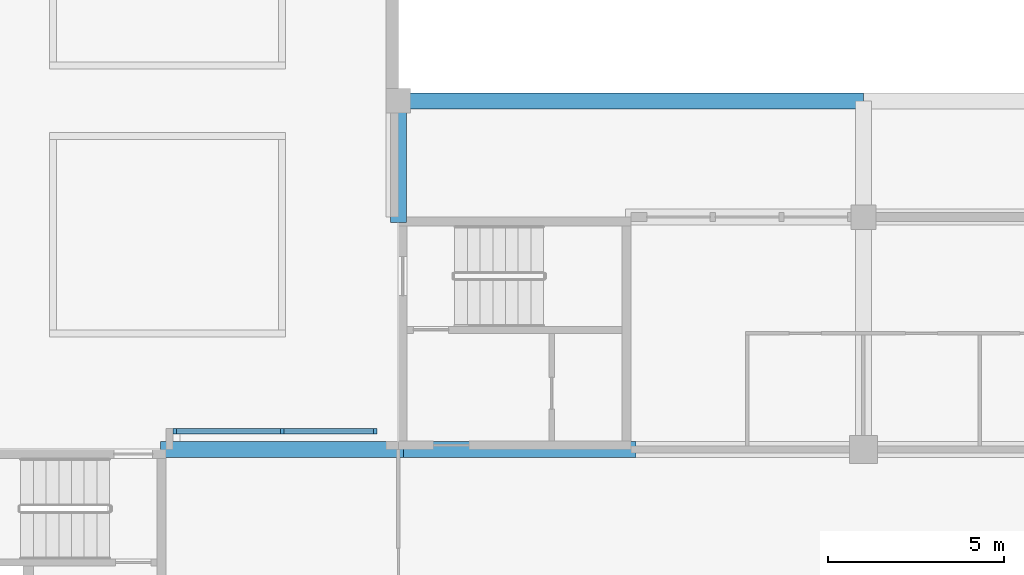
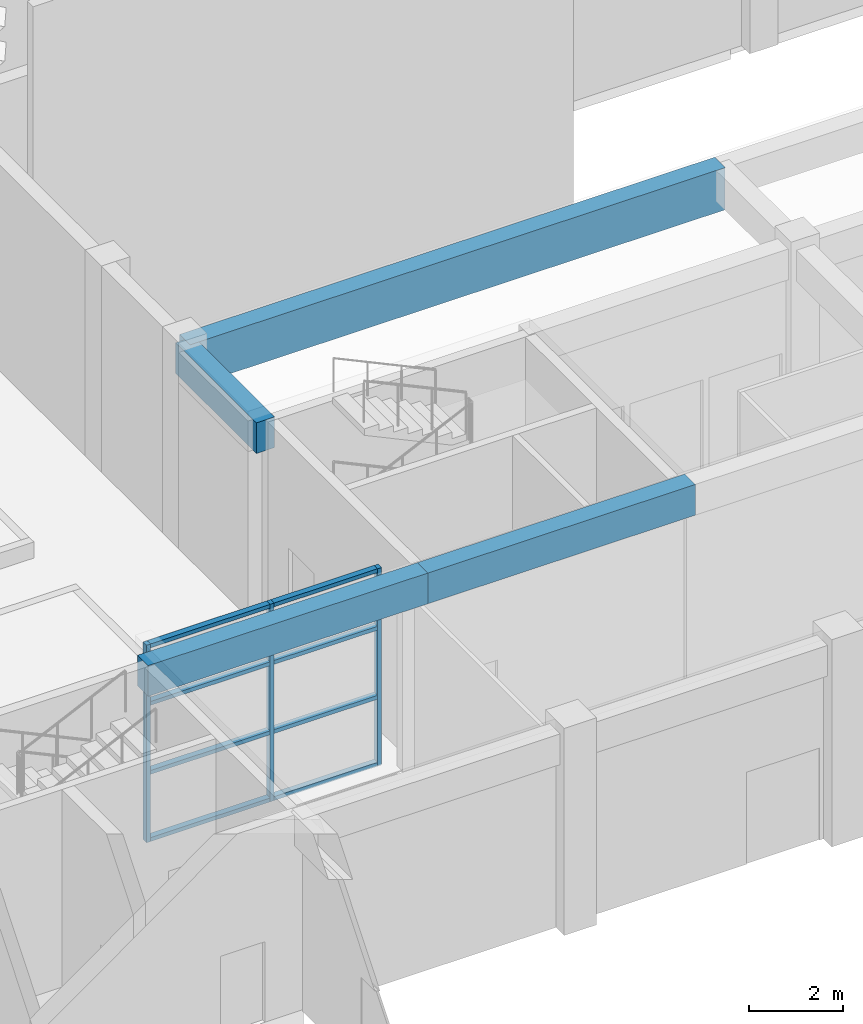
# One storey, part 14 of 85: 11 members, 4 beams, 1 element without a shape of its own.
"""IFC4 building model written with IfcOpenShell, lengths in metres."""

import ifcopenshell
import ifcopenshell.guid

model = None  # the IFC model being written
_history = None  # IfcOwnerHistory: only IFC2X3 demands one
_inside = {}  # id of a spatial element -> (the spatial element, [elements in it])
_under = {}  # id of a project, library or spatial element -> (it, [spatial elements below it])
_declared = {}  # id of a project -> (the project, [libraries it declares])
_typed = {}  # id of a type object -> (the type object, [elements of that type])
_made_of = {}  # id of a material, layer set ... -> (it, [elements and type objects made of it])


def new_model(schema):
    """Start an empty IFC model of exactly this schema.

    Asked for "IFC4X3", IfcOpenShell would pick the latest addendum, in which some entities
    have other attributes; the version numbers below select the first issue.
    IFC2X3 requires an IfcOwnerHistory on every rooted entity: one is made here for all.
    """
    global model, _history
    if schema == "IFC4X3":
        model = ifcopenshell.file(schema_version=(4, 3, 0, 0))
    else:
        model = ifcopenshell.file(schema=schema)
    _inside.clear()
    _under.clear()
    _declared.clear()
    _typed.clear()
    _made_of.clear()
    _history = None
    if model.schema == "IFC2X3":
        org = make("IfcOrganization", Name="unknown")
        user = make(
            "IfcPersonAndOrganization",
            ThePerson=make("IfcPerson", FamilyName="unknown"),
            TheOrganization=org,
        )
        app = make(
            "IfcApplication",
            ApplicationDeveloper=org,
            Version="unknown",
            ApplicationFullName="unknown",
            ApplicationIdentifier="unknown",
        )
        _history = make(
            "IfcOwnerHistory",
            OwningUser=user,
            OwningApplication=app,
            ChangeAction="ADDED",
            CreationDate=0,
        )
    return model


def make(cls, **values):
    """One entity of the class cls with the attributes given. An attribute that is None is left unset."""
    return model.create_entity(
        cls, **{name: value for name, value in values.items() if value is not None}
    )


def rooted(cls, **values):
    """An entity with a GlobalId (a new one), such as an element, a storey or a relation."""
    return make(cls, GlobalId=ifcopenshell.guid.new(), OwnerHistory=_history, **values)


def si_unit(unit_type, name, prefix=None):
    """IfcSIUnit, for example si_unit("LENGTHUNIT", "METRE", prefix="MILLI")."""
    return make("IfcSIUnit", UnitType=unit_type, Prefix=prefix, Name=name)


def assignment(units):
    """IfcUnitAssignment: the units of a project."""
    return None if units is None else make("IfcUnitAssignment", Units=units)


def point(xyz):
    """IfcCartesianPoint."""
    return None if xyz is None else make("IfcCartesianPoint", Coordinates=xyz)


def direction(xyz):
    """IfcDirection."""
    return None if xyz is None else make("IfcDirection", DirectionRatios=xyz)


def frame(location, z_axis=None, x_axis=None):
    """IfcAxis2Placement3D, a coordinate frame: its origin and axes. An axis left out is left unset."""
    return make(
        "IfcAxis2Placement3D",
        Location=point(location),
        Axis=direction(z_axis),
        RefDirection=direction(x_axis),
    )


def frame_2d(location, x_axis=None):
    """IfcAxis2Placement2D, a coordinate frame in the plane: its origin and x axis."""
    return make(
        "IfcAxis2Placement2D", Location=point(location), RefDirection=direction(x_axis)
    )


def origin():
    """The frame at (0, 0, 0) with its axes left unset."""
    return frame((0.0, 0.0, 0.0))


def origin_2d():
    """The frame at (0, 0) in the plane with its x axis left unset."""
    return frame_2d((0.0, 0.0))


def place(relative_to, where):
    """IfcLocalPlacement: puts the frame where relative to a parent placement (None: the world)."""
    return make(
        "IfcLocalPlacement", PlacementRelTo=relative_to, RelativePlacement=where
    )


def context(
    kind, dimensions, precision=None, world=None, true_north=None, identifier=None
):
    """IfcGeometricRepresentationContext, for example the 3D "Model" context."""
    return make(
        "IfcGeometricRepresentationContext",
        ContextIdentifier=identifier,
        ContextType=kind,
        CoordinateSpaceDimension=dimensions,
        Precision=precision,
        WorldCoordinateSystem=world,
        TrueNorth=true_north,
    )


def subcontext(parent, identifier, kind, view, scale=None):
    """IfcGeometricRepresentationSubContext, for example "Body" below "Model"."""
    return make(
        "IfcGeometricRepresentationSubContext",
        ContextIdentifier=identifier,
        ContextType=kind,
        ParentContext=parent,
        TargetScale=scale,
        TargetView=view,
    )


def project(units=None, contexts=None):
    """IfcProject with its units and contexts."""
    return rooted(
        "IfcProject",
        Name="project",
        RepresentationContexts=contexts,
        UnitsInContext=assignment(units),
    )


def spatial(cls, under=None, at=None, **own):
    """A site, building, storey or space (cls), placed at a placement, below another one or the project."""
    s = rooted(cls, ObjectPlacement=at, **own)
    if under is not None:
        _under.setdefault(under.id(), (under, []))[1].append(s)
    return s


def profile(cls, at=None, kind="AREA", **sizes):
    """A parametric profile (cls). Its sizes go by their IFC names, for example OverallWidth=200.0."""
    return make(cls, ProfileType=kind, Position=at, **sizes)


def rectangle(**sizes):
    """IfcRectangleProfileDef."""
    return profile("IfcRectangleProfileDef", **sizes)


def extrude(swept, where, along, depth):
    """IfcExtrudedAreaSolid: the profile swept, set in the frame where, extruded along a direction by depth."""
    return make(
        "IfcExtrudedAreaSolid",
        SweptArea=swept,
        Position=where,
        ExtrudedDirection=direction(along),
        Depth=depth,
    )


def shape(context_of_items, identifier, shape_type, items):
    """IfcShapeRepresentation: the items that make up one representation, for example the "Body"."""
    return make(
        "IfcShapeRepresentation",
        ContextOfItems=context_of_items,
        RepresentationIdentifier=identifier,
        RepresentationType=shape_type,
        Items=items,
    )


def material(Name=None, Category=None):
    """IfcMaterial."""
    return make("IfcMaterial", Name=Name, Category=Category)


def material_profile(
    of_material, cross_section, Name=None, Category=None, Priority=None
):
    """IfcMaterialProfile: a cross section and its material."""
    return make(
        "IfcMaterialProfile",
        Name=Name,
        Material=of_material,
        Profile=cross_section,
        Priority=Priority,
        Category=Category,
    )


def profile_set(profiles, Name=None, composite=None):
    """IfcMaterialProfileSet."""
    return make(
        "IfcMaterialProfileSet",
        Name=Name,
        MaterialProfiles=profiles,
        CompositeProfile=composite,
    )


def made_of(thing, what):
    """Note that an element or type object is made of a material, layer set ...; save() writes the relation."""
    if what is not None:
        _made_of.setdefault(what.id(), (what, []))[1].append(thing)
    return thing


def type_object(cls, material=None, **own):
    """A type object (cls), such as IfcWallType, which elements share."""
    return made_of(rooted(cls, **own), material)


def element(
    cls,
    number,
    at=None,
    inside=None,
    cuts=None,
    type_object=None,
    material=None,
    context=None,
    identifier="Body",
    shape_type=None,
    held_by="IfcProductDefinitionShape",
    body=None,
    shapes=None,
    **own,
):
    """One element of the class cls, such as IfcWall. Its Tag is "e" and its number.

    at: its placement. inside: the storey or other place that contains it. cuts: it is an
    opening in that element (IfcRelVoidsElement). A single representation is given by context,
    identifier, shape_type and body (its items); several are given by shapes. held_by: the class
    of the entity that holds the representations. save() writes the other relations.
    """
    e = rooted(cls, Tag="e%d" % number, ObjectPlacement=at, **own)
    if body is not None:
        shapes = [shape(context, identifier, shape_type, body)]
    if shapes is not None:
        e.Representation = make(held_by, Representations=shapes)
    if inside is not None:
        _inside.setdefault(inside.id(), (inside, []))[1].append(e)
    if cuts is not None:
        rooted(
            "IfcRelVoidsElement", RelatingBuildingElement=cuts, RelatedOpeningElement=e
        )
    if type_object is not None:
        _typed.setdefault(type_object.id(), (type_object, []))[1].append(e)
    return made_of(e, material)


def aggregate(whole, parts):
    """IfcRelAggregates: a whole, such as a stair, and the parts it consists of."""
    return rooted("IfcRelAggregates", RelatingObject=whole, RelatedObjects=parts)


def save(model, path):
    """Write the relations noted so far, then the file.

    IfcRelAggregates (storeys below a building ...), IfcRelContainedInSpatialStructure (elements
    in a storey), IfcRelDefinesByType, IfcRelAssociatesMaterial and IfcRelDeclares: one each for
    every whole, place, type object, material and project.
    """
    for whole, parts in _under.values():
        aggregate(whole, parts)
    for where, things in _inside.values():
        rooted(
            "IfcRelContainedInSpatialStructure",
            RelatedElements=things,
            RelatingStructure=where,
        )
    for kind, things in _typed.values():
        rooted("IfcRelDefinesByType", RelatedObjects=things, RelatingType=kind)
    for what, things in _made_of.values():
        rooted("IfcRelAssociatesMaterial", RelatedObjects=things, RelatingMaterial=what)
    for by, libraries in _declared.values():
        rooted("IfcRelDeclares", RelatingContext=by, RelatedDefinitions=libraries)
    model.write(path)


model = new_model("IFC4")

# Units and contexts
model_context = context("Model", 3, precision=1e-05, world=origin(), true_north=direction((0.0, 1.0)))
body_context = subcontext(model_context, "Body", "Model", "MODEL_VIEW")
ifc_project = project(units=[si_unit("LENGTHUNIT", "METRE"), si_unit("AREAUNIT", "SQUARE_METRE"), si_unit("VOLUMEUNIT", "CUBIC_METRE"), si_unit("PLANEANGLEUNIT", "RADIAN"), si_unit("MASSUNIT", "GRAM", prefix="KILO")], contexts=[model_context])

# Site, building, storey
site_placement = place(None, origin())
site = spatial("IfcSite", under=ifc_project, at=site_placement, CompositionType="ELEMENT")
building_placement = place(site_placement, origin())
building = spatial("IfcBuilding", under=site, at=building_placement, Name="Lantern Court Research Institute", CompositionType="ELEMENT")
storey_placement = place(building_placement, origin())
storey = spatial("IfcBuildingStorey", under=building, at=storey_placement, Name="L00", CompositionType="ELEMENT", Elevation=0.0)

# Beams
ifc_material_1 = material(Name="Concrete C40/50", Category="concrete")
ifc_material_profile_1 = material_profile(ifc_material_1, rectangle(XDim=0.449951171875, YDim=1.10009765625, at=origin_2d()), Name="Hall beam 450 x 1100")
ifc_profile_set_1 = profile_set([ifc_material_profile_1], Name="Concrete C40/50")
beam_type_1 = type_object("IfcBeamType", Name="Hall beam 450 x 1100", PredefinedType="BEAM", material=ifc_profile_set_1)
beam_1_placement = place(storey_placement, frame((52.800048828125, 66.0, 4.60009765625), z_axis=(1.0, 0.0, 0.0), x_axis=(0.0, 1.0, 0.0)))
element("IfcBeam", 1, at=beam_1_placement, inside=storey, type_object=beam_type_1, Name="Edge beam L01", PredefinedType="BEAM", context=body_context, shape_type="SweptSolid", body=[
    extrude(rectangle(XDim=0.449951171875, YDim=1.10009765625, at=origin_2d()), origin(), (0.0, 0.0, 1.0), 13.199951171875),
])
ifc_material_2 = material(Name="Concrete C40/50", Category="concrete")
ifc_material_profile_2 = material_profile(ifc_material_2, rectangle(XDim=0.449951171875, YDim=0.800048828125, at=origin_2d()), Name="Hall beam 450 x 800")
ifc_profile_set_2 = profile_set([ifc_material_profile_2], Name="Concrete C40/50")
beam_type_2 = type_object("IfcBeamType", Name="Hall beam 450 x 800", PredefinedType="BEAM", material=ifc_profile_set_2)
beam_2_placement = place(storey_placement, frame((46.050048828125, 56.10009765625, 4.75), z_axis=(1.0, 0.0, 0.0), x_axis=(0.0, 1.0, 0.0)))
element("IfcBeam", 2, at=beam_2_placement, inside=storey, type_object=beam_type_2, Name="Gallery beam L01", PredefinedType="BEAM", context=body_context, shape_type="SweptSolid", body=[
    extrude(rectangle(XDim=0.449951171875, YDim=0.800048828125, at=origin_2d()), origin(), (0.0, 0.0, 1.0), 6.89990234375),
])
beam_3_placement = place(storey_placement, frame((52.64990234375, 56.10009765625, 4.75), z_axis=(1.0, 0.0, 0.0), x_axis=(0.0, 1.0, 0.0)))
element("IfcBeam", 3, at=beam_3_placement, inside=storey, type_object=beam_type_2, Name="Gallery beam L01", PredefinedType="BEAM", context=body_context, shape_type="SweptSolid", body=[
    extrude(rectangle(XDim=0.449951171875, YDim=0.800048828125, at=origin_2d()), origin(), (0.0, 0.0, 1.0), 6.900146484375),
])
beam_4_placement = place(storey_placement, frame((52.800048828125, 62.550048828125, 4.75), z_axis=(0.0, 1.0, 0.0), x_axis=(-1.0, 0.0, 0.0)))
element("IfcBeam", 4, at=beam_4_placement, inside=storey, type_object=beam_type_2, Name="Cantilever beam L01", PredefinedType="BEAM", context=body_context, shape_type="SweptSolid", body=[
    extrude(rectangle(XDim=0.449951171875, YDim=0.800048828125, at=origin_2d()), origin(), (0.0, 0.0, 1.0), 3.449951171875),
])

# Curtain wall, members
ifc_material_3 = material(Name="Aluminium alloy 6063-T6", Category="aluminium")
curtain_wall_type = type_object("IfcCurtainWallType", Name="Curtain wall 5800 x 5150 x 150 aluminium frame", PredefinedType="NOTDEFINED", material=ifc_material_3)
curtain_wall_placement = place(storey_placement, origin())
curtain_wall = element("IfcCurtainWall", 5, at=curtain_wall_placement, inside=storey, type_object=curtain_wall_type, Name="Curtain wall CW003", PredefinedType="NOTDEFINED")
ifc_material_4 = material(Name="Aluminium alloy 6063-T6", Category="aluminium")
ifc_material_profile_3 = material_profile(ifc_material_4, rectangle(XDim=0.14990234375, YDim=0.10009765625, at=origin_2d()), Name="Mullion 150 x 100")
ifc_profile_set_3 = profile_set([ifc_material_profile_3], Name="Aluminium alloy 6063-T6")
member_type_1 = type_object("IfcMemberType", Name="Mullion 150 x 100 aluminium", PredefinedType="MULLION", material=ifc_profile_set_3)
member_1_placement = place(storey_placement, frame((46.449951171875, 56.625, 0.0), z_axis=(0.0, 0.0, 1.0), x_axis=(0.0, 1.0, 0.0)))
member_1 = element("IfcMember", 6, at=member_1_placement, type_object=member_type_1, Name="CW003 mullion 1", PredefinedType="MULLION", context=body_context, shape_type="SweptSolid", body=[
    extrude(rectangle(XDim=0.14990234375, YDim=0.10009765625, at=origin_2d()), origin(), (0.0, 0.0, 1.0), 5.14990234375),
])
member_2_placement = place(storey_placement, frame((49.5, 56.625, 0.0), z_axis=(0.0, 0.0, 1.0), x_axis=(0.0, 1.0, 0.0)))
member_2 = element("IfcMember", 7, at=member_2_placement, type_object=member_type_1, Name="CW003 mullion 2", PredefinedType="MULLION", context=body_context, shape_type="SweptSolid", body=[
    extrude(rectangle(XDim=0.14990234375, YDim=0.10009765625, at=origin_2d()), origin(), (0.0, 0.0, 1.0), 5.14990234375),
])
member_3_placement = place(storey_placement, frame((52.14990234375, 56.625, 0.0), z_axis=(0.0, 0.0, 1.0), x_axis=(0.0, 1.0, 0.0)))
member_3 = element("IfcMember", 8, at=member_3_placement, type_object=member_type_1, Name="CW003 mullion 3", PredefinedType="MULLION", context=body_context, shape_type="SweptSolid", body=[
    extrude(rectangle(XDim=0.14990234375, YDim=0.10009765625, at=origin_2d()), origin(), (0.0, 0.0, 1.0), 5.14990234375),
])
ifc_material_5 = material(Name="Aluminium alloy 6063-T6", Category="aluminium")
ifc_material_profile_4 = material_profile(ifc_material_5, rectangle(XDim=0.14990234375, YDim=0.10009765625, at=origin_2d()), Name="Transom 150 x 100")
ifc_profile_set_4 = profile_set([ifc_material_profile_4], Name="Aluminium alloy 6063-T6")
member_type_2 = type_object("IfcMemberType", Name="Transom 150 x 100 aluminium", PredefinedType="USERDEFINED", material=ifc_profile_set_4)
member_4_placement = place(storey_placement, frame((46.5, 56.625, 0.050048828125), z_axis=(1.0, 0.0, 0.0), x_axis=(0.0, 1.0, 0.0)))
member_4 = element("IfcMember", 9, at=member_4_placement, type_object=member_type_2, Name="CW003 transom 1.1", ObjectType="TRANSOM", PredefinedType="USERDEFINED", context=body_context, shape_type="SweptSolid", body=[
    extrude(rectangle(XDim=0.14990234375, YDim=0.10009765625, at=origin_2d()), origin(), (0.0, 0.0, 1.0), 2.949951171875),
])
member_5_placement = place(storey_placement, frame((46.5, 56.625, 1.800048828125), z_axis=(1.0, 0.0, 0.0), x_axis=(0.0, 1.0, 0.0)))
member_5 = element("IfcMember", 10, at=member_5_placement, type_object=member_type_2, Name="CW003 transom 1.2", ObjectType="TRANSOM", PredefinedType="USERDEFINED", context=body_context, shape_type="SweptSolid", body=[
    extrude(rectangle(XDim=0.14990234375, YDim=0.10009765625, at=origin_2d()), origin(), (0.0, 0.0, 1.0), 2.949951171875),
])
member_6_placement = place(storey_placement, frame((46.5, 56.625, 3.60009765625), z_axis=(1.0, 0.0, 0.0), x_axis=(0.0, 1.0, 0.0)))
member_6 = element("IfcMember", 11, at=member_6_placement, type_object=member_type_2, Name="CW003 transom 1.3", ObjectType="TRANSOM", PredefinedType="USERDEFINED", context=body_context, shape_type="SweptSolid", body=[
    extrude(rectangle(XDim=0.14990234375, YDim=0.10009765625, at=origin_2d()), origin(), (0.0, 0.0, 1.0), 2.949951171875),
])
member_7_placement = place(storey_placement, frame((46.5, 56.625, 5.10009765625), z_axis=(1.0, 0.0, 0.0), x_axis=(0.0, 1.0, 0.0)))
member_7 = element("IfcMember", 12, at=member_7_placement, type_object=member_type_2, Name="CW003 transom 1.4", ObjectType="TRANSOM", PredefinedType="USERDEFINED", context=body_context, shape_type="SweptSolid", body=[
    extrude(rectangle(XDim=0.14990234375, YDim=0.10009765625, at=origin_2d()), origin(), (0.0, 0.0, 1.0), 2.949951171875),
])
member_8_placement = place(storey_placement, frame((49.550048828125, 56.625, 0.050048828125), z_axis=(1.0, 0.0, 0.0), x_axis=(0.0, 1.0, 0.0)))
member_8 = element("IfcMember", 13, at=member_8_placement, type_object=member_type_2, Name="CW003 transom 2.1", ObjectType="TRANSOM", PredefinedType="USERDEFINED", context=body_context, shape_type="SweptSolid", body=[
    extrude(rectangle(XDim=0.14990234375, YDim=0.10009765625, at=origin_2d()), origin(), (0.0, 0.0, 1.0), 2.550048828125),
])
member_9_placement = place(storey_placement, frame((49.550048828125, 56.625, 1.800048828125), z_axis=(1.0, 0.0, 0.0), x_axis=(0.0, 1.0, 0.0)))
member_9 = element("IfcMember", 14, at=member_9_placement, type_object=member_type_2, Name="CW003 transom 2.2", ObjectType="TRANSOM", PredefinedType="USERDEFINED", context=body_context, shape_type="SweptSolid", body=[
    extrude(rectangle(XDim=0.14990234375, YDim=0.10009765625, at=origin_2d()), origin(), (0.0, 0.0, 1.0), 2.550048828125),
])
member_10_placement = place(storey_placement, frame((49.550048828125, 56.625, 3.60009765625), z_axis=(1.0, 0.0, 0.0), x_axis=(0.0, 1.0, 0.0)))
member_10 = element("IfcMember", 15, at=member_10_placement, type_object=member_type_2, Name="CW003 transom 2.3", ObjectType="TRANSOM", PredefinedType="USERDEFINED", context=body_context, shape_type="SweptSolid", body=[
    extrude(rectangle(XDim=0.14990234375, YDim=0.10009765625, at=origin_2d()), origin(), (0.0, 0.0, 1.0), 2.550048828125),
])
member_11_placement = place(storey_placement, frame((49.550048828125, 56.625, 5.10009765625), z_axis=(1.0, 0.0, 0.0), x_axis=(0.0, 1.0, 0.0)))
member_11 = element("IfcMember", 16, at=member_11_placement, type_object=member_type_2, Name="CW003 transom 2.4", ObjectType="TRANSOM", PredefinedType="USERDEFINED", context=body_context, shape_type="SweptSolid", body=[
    extrude(rectangle(XDim=0.14990234375, YDim=0.10009765625, at=origin_2d()), origin(), (0.0, 0.0, 1.0), 2.550048828125),
])
aggregate(curtain_wall, [member_1, member_2, member_3, member_4, member_5, member_6, member_7, member_8, member_9, member_10, member_11])

save(model, "model.ifc")
